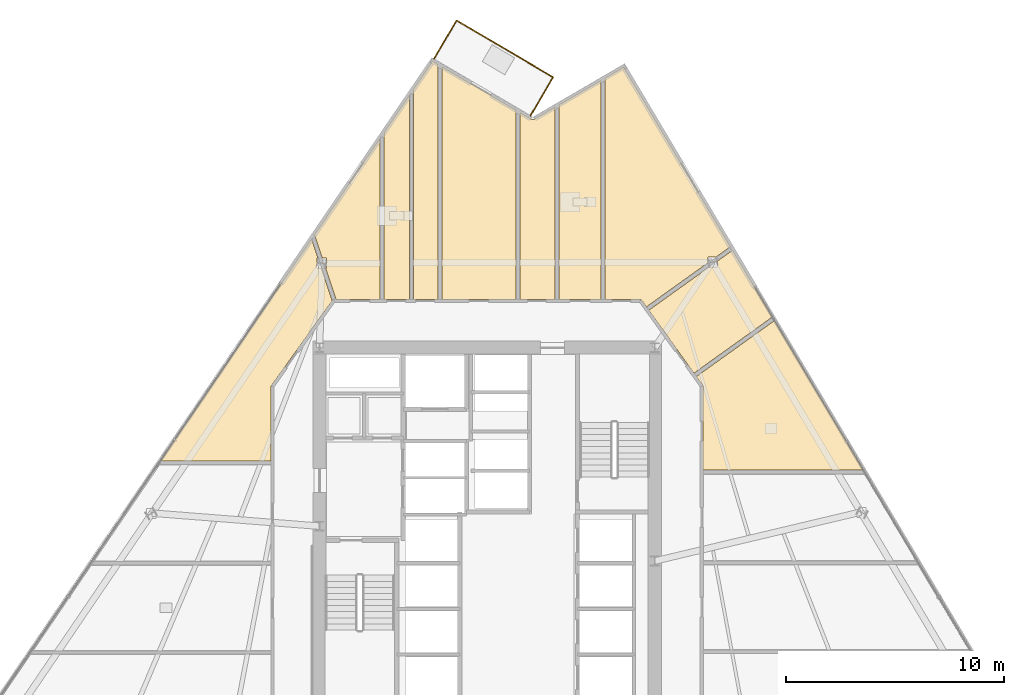
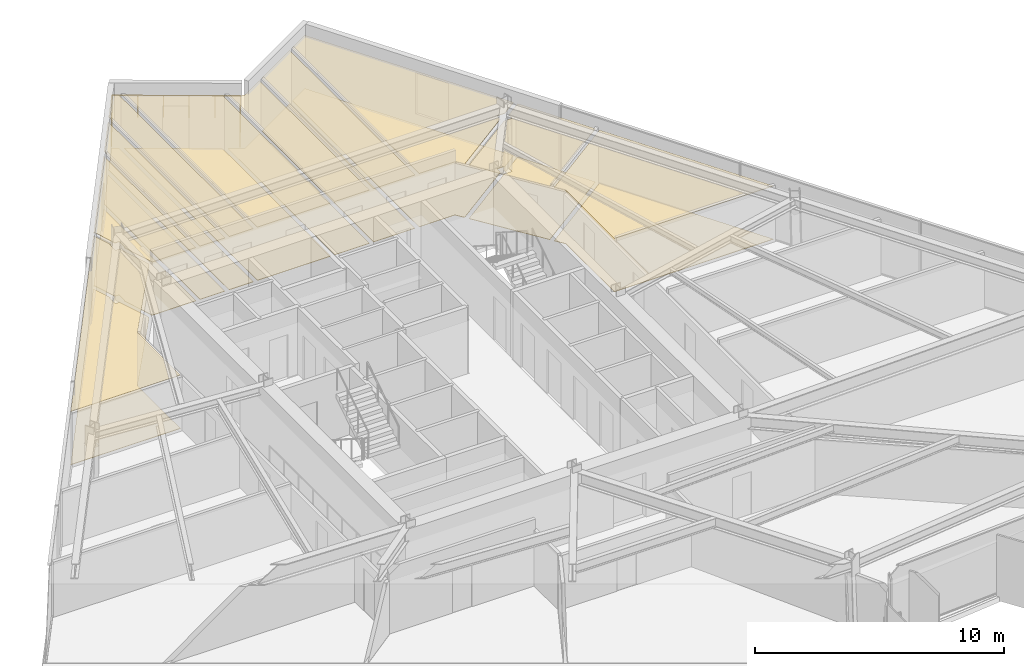
# One storey, part 15 of 16: 20 coverings, 3 railings.
"""IFC4 building model written with IfcOpenShell, lengths in metres."""

from ifc_helpers import new_model, si_unit, direction, frame, origin, origin_2d, place, context, subcontext, project, spatial, polyline, circle, outline, extrude, material, layer, layer_set, type_object, element, save


model = new_model("IFC4")

# Units and contexts
model_context = context("Model", 3, precision=1e-05, world=origin(), true_north=direction((0.0, 1.0)))
body_context = subcontext(model_context, "Body", "Model", "MODEL_VIEW")
ifc_project = project(units=[si_unit("LENGTHUNIT", "METRE"), si_unit("AREAUNIT", "SQUARE_METRE"), si_unit("VOLUMEUNIT", "CUBIC_METRE"), si_unit("PLANEANGLEUNIT", "RADIAN"), si_unit("MASSUNIT", "GRAM", prefix="KILO")], contexts=[model_context])

# Site, building, storey
site_placement = place(None, origin())
site = spatial("IfcSite", under=ifc_project, at=site_placement, CompositionType="ELEMENT")
building_placement = place(site_placement, origin())
building = spatial("IfcBuilding", under=site, at=building_placement, Name="Savorim Split Tower", CompositionType="ELEMENT")
storey_placement = place(building_placement, frame((0.0, 0.0, 69.60009765625)))
storey = spatial("IfcBuildingStorey", under=building, at=storey_placement, Name="L18", CompositionType="ELEMENT", Elevation=69.60009765625)

# Coverings
ifc_material_1 = material(Name="Mineral Fibre Acoustic Ceiling")
ifc_layer_1 = layer(ifc_material_1, 0.02490234375)
ifc_layer_set_1 = layer_set([ifc_layer_1], Name="COV-CEIL-25")
covering_type_1 = type_object("IfcCoveringType", Name="COV-CEIL-25", PredefinedType="CEILING", material=ifc_layer_set_1)
covering_1_placement = place(storey_placement, frame((0.0, 0.0, 2.599853515625)))
element("IfcCovering", 1, at=covering_1_placement, inside=storey, type_object=covering_type_1, Name="L18 Community Laundry Room Acoustic Ceiling", PredefinedType="CEILING", context=body_context, shape_type="SweptSolid", body=[
    extrude(outline(polyline([(9.9169921875, 8.4287109375), (9.919189453125, 8.41455078125), (9.919921875, 8.39990234375), (9.919921875, 4.57470703125), (17.287353515625, 4.57470703125), (13.20166015625, 11.44580078125), (9.612548828125, 8.874267578125), (9.893798828125, 8.4814453125), (9.901611328125, 8.46923828125), (9.908203125, 8.456298828125), (9.913330078125, 8.44287109375), (9.9169921875, 8.4287109375)])), origin(), (0.0, 0.0, 1.0), 0.025146484375),
])
covering_2_placement = place(storey_placement, frame((0.0, 0.0, 2.599853515625)))
element("IfcCovering", 2, at=covering_2_placement, inside=storey, type_object=covering_type_1, Name="L18 Quiet Study Room Acoustic Ceiling", PredefinedType="CEILING", context=body_context, shape_type="SweptSolid", body=[
    extrude(outline(polyline([(10.57373046875, 13.90869140625), (10.203369140625, 13.90869140625), (7.429443359375, 11.921142578125), (9.501708984375, 9.028564453125), (13.104248046875, 11.60986328125), (11.279052734375, 14.679443359375), (10.57373046875, 14.174072265625), (10.57373046875, 13.90869140625)])), origin(), (0.0, 0.0, 1.0), 0.025146484375),
])
covering_3_placement = place(storey_placement, frame((0.0, 0.0, 2.599853515625)))
element("IfcCovering", 3, at=covering_3_placement, inside=storey, type_object=covering_type_1, Name="L18 Co-Living Bedroom Acoustic Ceiling", PredefinedType="CEILING", context=body_context, shape_type="SweptSolid", body=[
    extrude(outline(polyline([(11.13427734375, 14.809326171875), (11.181640625, 14.84326171875), (6.276123046875, 23.093017578125), (5.416259765625, 22.591796875), (5.416259765625, 12.419921875), (7.0, 12.419921875), (7.01318359375, 12.41943359375), (7.0263671875, 12.41748046875), (7.039306640625, 12.414306640625), (7.052001953125, 12.409912109375), (7.06396484375, 12.404541015625), (7.075439453125, 12.39794921875), (7.086181640625, 12.39013671875), (7.096435546875, 12.381591796875), (7.105712890625, 12.3720703125), (7.11376953125, 12.361572265625), (7.318603515625, 12.07568359375), (10.1416015625, 14.09814453125), (10.1416015625, 14.363525390625), (10.51220703125, 14.363525390625), (11.13427734375, 14.809326171875)])), origin(), (0.0, 0.0, 1.0), 0.025146484375),
])
covering_4_placement = place(storey_placement, frame((0.0, 0.0, 2.599853515625)))
element("IfcCovering", 4, at=covering_4_placement, inside=storey, type_object=covering_type_1, Name="L18 Shared Bathroom Acoustic Ceiling", PredefinedType="CEILING", context=body_context, shape_type="SweptSolid", body=[
    extrude(outline(polyline([(3.305908203125, 12.419921875), (5.226318359375, 12.419921875), (5.226318359375, 22.48095703125), (3.3056640625, 21.36181640625), (3.305908203125, 12.419921875)])), origin(), (0.0, 0.0, 1.0), 0.025146484375),
])
covering_5_placement = place(storey_placement, frame((0.0, 0.0, 2.599853515625)))
element("IfcCovering", 5, at=covering_5_placement, inside=storey, type_object=covering_type_1, Name="L18 Quiet Study Room Acoustic Ceiling", PredefinedType="CEILING", context=body_context, shape_type="SweptSolid", body=[
    extrude(outline(polyline([(2.05859375, 20.683837890625), (2.0478515625, 20.688232421875), (2.03759765625, 20.693603515625), (1.51025390625, 21.00341796875), (1.51025390625, 12.419921875), (3.11572265625, 12.419921875), (3.11572265625, 21.2509765625), (2.15869140625, 20.693359375), (2.148681640625, 20.68798828125), (2.137939453125, 20.68359375), (2.126708984375, 20.680419921875), (2.115478515625, 20.67822265625), (2.10400390625, 20.677001953125), (2.09228515625, 20.677001953125), (2.080810546875, 20.67822265625), (2.069580078125, 20.680419921875), (2.05859375, 20.683837890625)])), origin(), (0.0, 0.0, 1.0), 0.025146484375),
])
covering_6_placement = place(storey_placement, frame((0.0, 0.0, 2.599853515625)))
element("IfcCovering", 6, at=covering_6_placement, inside=storey, type_object=covering_type_1, Name="L18 Quiet Study Room Acoustic Ceiling", PredefinedType="CEILING", context=body_context, shape_type="SweptSolid", body=[
    extrude(outline(polyline([(-2.073486328125, 12.419921875), (1.3203125, 12.419921875), (1.3203125, 21.114990234375), (-2.073486328125, 23.109619140625), (-2.073486328125, 12.419921875)])), origin(), (0.0, 0.0, 1.0), 0.025146484375),
])
covering_7_placement = place(storey_placement, frame((0.0, 0.0, 2.599853515625)))
element("IfcCovering", 7, at=covering_7_placement, inside=storey, type_object=covering_type_1, Name="L18 Quiet Study Room Acoustic Ceiling", PredefinedType="CEILING", context=body_context, shape_type="SweptSolid", body=[
    extrude(outline(polyline([(-3.382080078125, 12.419921875), (-2.263427734375, 12.419921875), (-2.263427734375, 23.221435546875), (-2.510009765625, 23.3662109375), (-3.382080078125, 22.083984375), (-3.382080078125, 12.419921875)])), origin(), (0.0, 0.0, 1.0), 0.025146484375),
])
covering_8_placement = place(storey_placement, frame((0.0, 0.0, 2.599853515625)))
element("IfcCovering", 8, at=covering_8_placement, inside=storey, type_object=covering_type_1, Name="L18 Shared Bathroom Acoustic Ceiling", PredefinedType="CEILING", context=body_context, shape_type="SweptSolid", body=[
    extrude(outline(polyline([(-3.572265625, 21.8046875), (-4.731201171875, 20.100830078125), (-4.731201171875, 12.419921875), (-3.572265625, 12.419921875), (-3.572265625, 21.8046875)])), origin(), (0.0, 0.0, 1.0), 0.025146484375),
])
covering_9_placement = place(storey_placement, frame((0.0, 0.0, 2.599853515625)))
element("IfcCovering", 9, at=covering_9_placement, inside=storey, type_object=covering_type_1, Name="L18 Quiet Study Room Acoustic Ceiling", PredefinedType="CEILING", context=body_context, shape_type="SweptSolid", body=[
    extrude(outline(polyline([(-7.420654296875, 13.85986328125), (-6.94921875, 12.444091796875), (-6.94091796875, 12.419921875), (-4.921142578125, 12.419921875), (-4.921142578125, 19.821533203125), (-7.9697265625, 15.34033203125), (-7.91943359375, 15.357177734375), (-7.572265625, 14.314697265625), (-7.380615234375, 14.314697265625), (-7.380615234375, 13.85986328125), (-7.420654296875, 13.85986328125)])), origin(), (0.0, 0.0, 1.0), 0.025146484375),
])
covering_10_placement = place(storey_placement, frame((0.0, 0.0, 2.599853515625)))
element("IfcCovering", 10, at=covering_10_placement, inside=storey, type_object=covering_type_1, Name="L18 Co-Living Bedroom Acoustic Ceiling", PredefinedType="CEILING", context=body_context, shape_type="SweptSolid", body=[
    extrude(outline(polyline([(-9.901611328125, 8.46923828125), (-9.893798828125, 8.4814453125), (-7.119384765625, 12.35400390625), (-7.62109375, 13.85986328125), (-7.8125, 13.85986328125), (-7.8125, 14.314697265625), (-7.7724609375, 14.314697265625), (-8.066650390625, 15.19775390625), (-15.00146484375, 5.003662109375), (-9.919921875, 5.003662109375), (-9.919921875, 8.39990234375), (-9.919189453125, 8.41455078125), (-9.9169921875, 8.4287109375), (-9.913330078125, 8.44287109375), (-9.908203125, 8.456298828125), (-9.901611328125, 8.46923828125)])), origin(), (0.0, 0.0, 1.0), 0.025146484375),
])
ifc_material_2 = material(Name="Porcelain Stoneware Flooring", Category="masonry")
ifc_layer_2 = layer(ifc_material_2, 0.02001953125)
ifc_layer_set_2 = layer_set([ifc_layer_2], Name="COV-FLOR-20")
covering_type_2 = type_object("IfcCoveringType", Name="COV-FLOR-20", PredefinedType="FLOORING", material=ifc_layer_set_2)
covering_11_placement = place(storey_placement, origin())
element("IfcCovering", 11, at=covering_11_placement, inside=storey, type_object=covering_type_2, Name="L18 Community Laundry Room Porcelain Flooring", PredefinedType="FLOORING", context=body_context, shape_type="SweptSolid", body=[
    extrude(outline(polyline([(9.9169921875, 8.4287109375), (9.919189453125, 8.41455078125), (9.919921875, 8.39990234375), (9.919921875, 4.57470703125), (17.287353515625, 4.57470703125), (13.20166015625, 11.44580078125), (9.612548828125, 8.874267578125), (9.893798828125, 8.4814453125), (9.901611328125, 8.46923828125), (9.908203125, 8.456298828125), (9.913330078125, 8.44287109375), (9.9169921875, 8.4287109375)])), origin(), (0.0, 0.0, 1.0), 0.02001953125),
])
covering_12_placement = place(storey_placement, origin())
element("IfcCovering", 12, at=covering_12_placement, inside=storey, type_object=covering_type_2, Name="L18 Quiet Study Room Porcelain Flooring", PredefinedType="FLOORING", context=body_context, shape_type="SweptSolid", body=[
    extrude(outline(polyline([(10.57373046875, 13.90869140625), (10.203369140625, 13.90869140625), (7.429443359375, 11.921142578125), (9.501708984375, 9.028564453125), (13.104248046875, 11.60986328125), (11.279052734375, 14.679443359375), (10.57373046875, 14.174072265625), (10.57373046875, 13.90869140625)])), origin(), (0.0, 0.0, 1.0), 0.02001953125),
])
covering_13_placement = place(storey_placement, origin())
element("IfcCovering", 13, at=covering_13_placement, inside=storey, type_object=covering_type_2, Name="L18 Co-Living Bedroom Porcelain Flooring", PredefinedType="FLOORING", context=body_context, shape_type="SweptSolid", body=[
    extrude(outline(polyline([(11.13427734375, 14.809326171875), (11.181640625, 14.84326171875), (6.276123046875, 23.093017578125), (5.416259765625, 22.591796875), (5.416259765625, 12.419921875), (7.0, 12.419921875), (7.01318359375, 12.41943359375), (7.0263671875, 12.41748046875), (7.039306640625, 12.414306640625), (7.052001953125, 12.409912109375), (7.06396484375, 12.404541015625), (7.075439453125, 12.39794921875), (7.086181640625, 12.39013671875), (7.096435546875, 12.381591796875), (7.105712890625, 12.3720703125), (7.11376953125, 12.361572265625), (7.318603515625, 12.07568359375), (10.1416015625, 14.09814453125), (10.1416015625, 14.363525390625), (10.51220703125, 14.363525390625), (11.13427734375, 14.809326171875)])), origin(), (0.0, 0.0, 1.0), 0.02001953125),
])
covering_14_placement = place(storey_placement, origin())
element("IfcCovering", 14, at=covering_14_placement, inside=storey, type_object=covering_type_2, Name="L18 Shared Bathroom Porcelain Flooring", PredefinedType="FLOORING", context=body_context, shape_type="SweptSolid", body=[
    extrude(outline(polyline([(3.305908203125, 12.419921875), (5.226318359375, 12.419921875), (5.226318359375, 22.48095703125), (3.3056640625, 21.36181640625), (3.305908203125, 12.419921875)])), origin(), (0.0, 0.0, 1.0), 0.02001953125),
])
covering_15_placement = place(storey_placement, origin())
element("IfcCovering", 15, at=covering_15_placement, inside=storey, type_object=covering_type_2, Name="L18 Quiet Study Room Porcelain Flooring", PredefinedType="FLOORING", context=body_context, shape_type="SweptSolid", body=[
    extrude(outline(polyline([(2.05859375, 20.683837890625), (2.0478515625, 20.688232421875), (2.03759765625, 20.693603515625), (1.51025390625, 21.00341796875), (1.51025390625, 12.419921875), (3.11572265625, 12.419921875), (3.11572265625, 21.2509765625), (2.15869140625, 20.693359375), (2.148681640625, 20.68798828125), (2.137939453125, 20.68359375), (2.126708984375, 20.680419921875), (2.115478515625, 20.67822265625), (2.10400390625, 20.677001953125), (2.09228515625, 20.677001953125), (2.080810546875, 20.67822265625), (2.069580078125, 20.680419921875), (2.05859375, 20.683837890625)])), origin(), (0.0, 0.0, 1.0), 0.02001953125),
])
covering_16_placement = place(storey_placement, origin())
element("IfcCovering", 16, at=covering_16_placement, inside=storey, type_object=covering_type_2, Name="L18 Quiet Study Room Porcelain Flooring", PredefinedType="FLOORING", context=body_context, shape_type="SweptSolid", body=[
    extrude(outline(polyline([(-2.073486328125, 12.419921875), (1.3203125, 12.419921875), (1.3203125, 21.114990234375), (-2.073486328125, 23.109619140625), (-2.073486328125, 12.419921875)])), origin(), (0.0, 0.0, 1.0), 0.02001953125),
])
covering_17_placement = place(storey_placement, origin())
element("IfcCovering", 17, at=covering_17_placement, inside=storey, type_object=covering_type_2, Name="L18 Quiet Study Room Porcelain Flooring", PredefinedType="FLOORING", context=body_context, shape_type="SweptSolid", body=[
    extrude(outline(polyline([(-3.382080078125, 12.419921875), (-2.263427734375, 12.419921875), (-2.263427734375, 23.221435546875), (-2.510009765625, 23.3662109375), (-3.382080078125, 22.083984375), (-3.382080078125, 12.419921875)])), origin(), (0.0, 0.0, 1.0), 0.02001953125),
])
covering_18_placement = place(storey_placement, origin())
element("IfcCovering", 18, at=covering_18_placement, inside=storey, type_object=covering_type_2, Name="L18 Shared Bathroom Porcelain Flooring", PredefinedType="FLOORING", context=body_context, shape_type="SweptSolid", body=[
    extrude(outline(polyline([(-3.572265625, 21.8046875), (-4.731201171875, 20.100830078125), (-4.731201171875, 12.419921875), (-3.572265625, 12.419921875), (-3.572265625, 21.8046875)])), origin(), (0.0, 0.0, 1.0), 0.02001953125),
])
covering_19_placement = place(storey_placement, origin())
element("IfcCovering", 19, at=covering_19_placement, inside=storey, type_object=covering_type_2, Name="L18 Quiet Study Room Porcelain Flooring", PredefinedType="FLOORING", context=body_context, shape_type="SweptSolid", body=[
    extrude(outline(polyline([(-7.420654296875, 13.85986328125), (-6.94921875, 12.444091796875), (-6.94091796875, 12.419921875), (-4.921142578125, 12.419921875), (-4.921142578125, 19.821533203125), (-7.9697265625, 15.34033203125), (-7.91943359375, 15.357177734375), (-7.572265625, 14.314697265625), (-7.380615234375, 14.314697265625), (-7.380615234375, 13.85986328125), (-7.420654296875, 13.85986328125)])), origin(), (0.0, 0.0, 1.0), 0.02001953125),
])
covering_20_placement = place(storey_placement, origin())
element("IfcCovering", 20, at=covering_20_placement, inside=storey, type_object=covering_type_2, Name="L18 Co-Living Bedroom Porcelain Flooring", PredefinedType="FLOORING", context=body_context, shape_type="SweptSolid", body=[
    extrude(outline(polyline([(-9.901611328125, 8.46923828125), (-9.893798828125, 8.4814453125), (-7.119384765625, 12.35400390625), (-7.62109375, 13.85986328125), (-7.8125, 13.85986328125), (-7.8125, 14.314697265625), (-7.7724609375, 14.314697265625), (-8.066650390625, 15.19775390625), (-15.00146484375, 5.003662109375), (-9.919921875, 5.003662109375), (-9.919921875, 8.39990234375), (-9.919189453125, 8.41455078125), (-9.9169921875, 8.4287109375), (-9.913330078125, 8.44287109375), (-9.908203125, 8.456298828125), (-9.901611328125, 8.46923828125)])), origin(), (0.0, 0.0, 1.0), 0.02001953125),
])

# Railings
ifc_material_3 = material(Name="Galvanised Painted Steel Balustrade", Category="steel")
railing_type = type_object("IfcRailingType", Name="RLG-BAL-1100", PredefinedType="BALUSTRADE", material=ifc_material_3)
railing_1_placement = place(storey_placement, frame((-2.4423828125, 23.4658203125, 0.0)))
element("IfcRailing", 21, at=railing_1_placement, inside=storey, type_object=railing_type, Name="L18 Tree Balcony Guardrail N-1", PredefinedType="BALUSTRADE", context=body_context, shape_type="SweptSolid", body=[
    extrude(circle(Radius=0.02392578125, at=origin_2d()), frame((0.0, 0.0, 1.076171875), z_axis=(0.50664533146, 0.862154573211, 0.0), x_axis=(-0.862154573211, 0.50664533146, 0.0)), (0.0, 0.0, 1.0), 2.0498046875),
    extrude(circle(Radius=0.02099609375, at=origin_2d()), origin(), (0.0, 0.0, 1.0), 1.052001953125),
    extrude(circle(Radius=0.02099609375, at=origin_2d()), frame((0.519287109375, 0.8837890625, 0.0)), (0.0, 0.0, 1.0), 1.052001953125),
    extrude(circle(Radius=0.02099609375, at=origin_2d()), frame((1.03857421875, 1.767333984375, 0.0)), (0.0, 0.0, 1.0), 1.052001953125),
])
railing_2_placement = place(storey_placement, frame((-1.40380859375, 25.233154296875, 0.0)))
element("IfcRailing", 22, at=railing_2_placement, inside=storey, type_object=railing_type, Name="L18 Tree Balcony Guardrail N-2", PredefinedType="BALUSTRADE", context=body_context, shape_type="SweptSolid", body=[
    extrude(circle(Radius=0.02392578125, at=origin_2d()), frame((0.0, 0.0, 1.076171875), z_axis=(0.862136558462, -0.506675985777, 0.0), x_axis=(0.506675985777, 0.862136558462, 0.0)), (0.0, 0.0, 1.0), 5.147216796875),
    extrude(circle(Radius=0.02099609375, at=origin_2d()), origin(), (0.0, 0.0, 1.0), 1.052001953125),
    extrude(circle(Radius=0.02099609375, at=origin_2d()), frame((0.887451171875, -0.521484375, 0.0)), (0.0, 0.0, 1.0), 1.052001953125),
    extrude(circle(Radius=0.02099609375, at=origin_2d()), frame((1.77490234375, -1.043212890625, 0.0)), (0.0, 0.0, 1.0), 1.052001953125),
    extrude(circle(Radius=0.02099609375, at=origin_2d()), frame((2.66259765625, -1.564697265625, 0.0)), (0.0, 0.0, 1.0), 1.052001953125),
    extrude(circle(Radius=0.02099609375, at=origin_2d()), frame((3.550048828125, -2.08642578125, 0.0)), (0.0, 0.0, 1.0), 1.052001953125),
    extrude(circle(Radius=0.02099609375, at=origin_2d()), frame((4.4375, -2.60791015625, 0.0)), (0.0, 0.0, 1.0), 1.052001953125),
])
railing_3_placement = place(storey_placement, frame((3.03369140625, 22.625244140625, 0.0)))
element("IfcRailing", 23, at=railing_3_placement, inside=storey, type_object=railing_type, Name="L18 Tree Balcony Guardrail N-3", PredefinedType="BALUSTRADE", context=body_context, shape_type="SweptSolid", body=[
    extrude(circle(Radius=0.02392578125, at=origin_2d()), frame((0.0, 0.0, 1.076171875), z_axis=(-0.506733850669, -0.862102548764, 0.0), x_axis=(0.862102548764, -0.506733850669, 0.0)), (0.0, 0.0, 1.0), 2.050048828125),
    extrude(circle(Radius=0.02099609375, at=origin_2d()), origin(), (0.0, 0.0, 1.0), 1.052001953125),
    extrude(circle(Radius=0.02099609375, at=origin_2d()), frame((-0.51953125, -0.8837890625, 0.0)), (0.0, 0.0, 1.0), 1.052001953125),
    extrude(circle(Radius=0.02099609375, at=origin_2d()), frame((-1.038818359375, -1.767333984375, 0.0)), (0.0, 0.0, 1.0), 1.052001953125),
])

save(model, "model.ifc")
